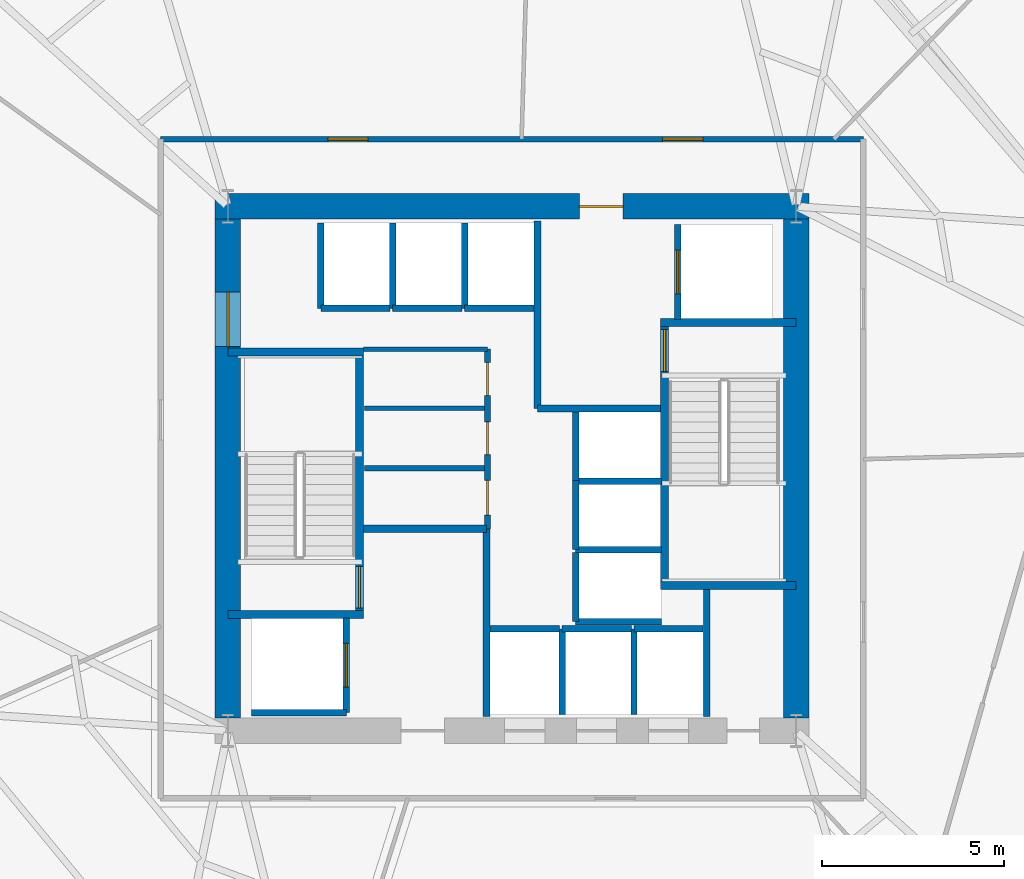
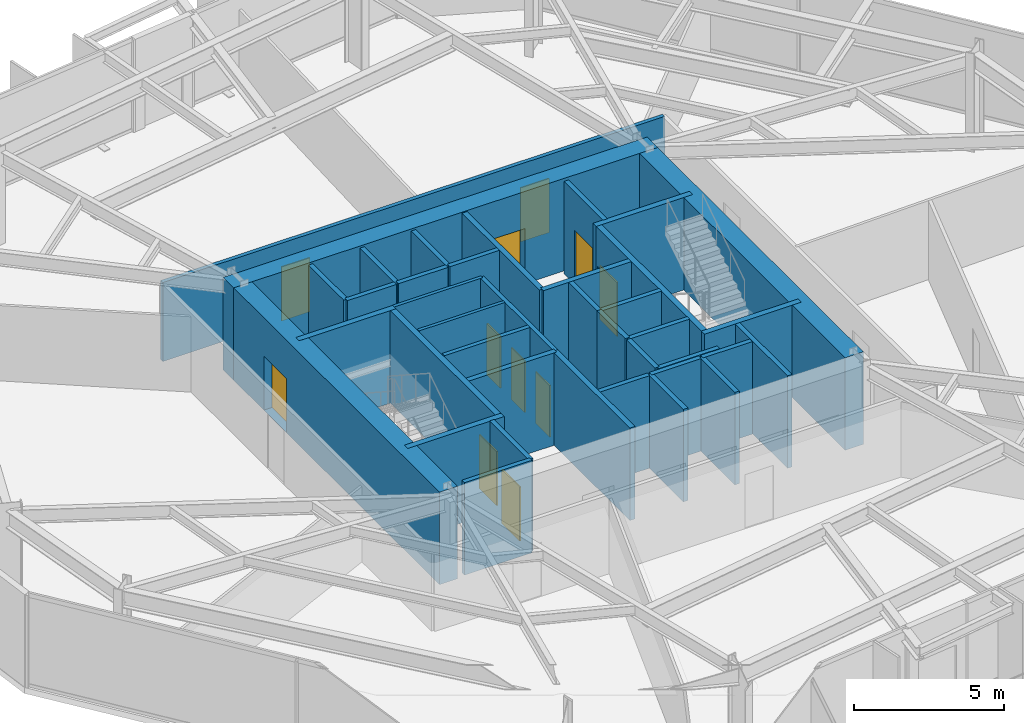
# One storey, part 7 of 11: 39 walls, 11 doors, 11 openings.
"""IFC4 building model written with IfcOpenShell, lengths in metres."""

import ifcopenshell
import ifcopenshell.guid

model = None  # the IFC model being written
_history = None  # IfcOwnerHistory: only IFC2X3 demands one
_inside = {}  # id of a spatial element -> (the spatial element, [elements in it])
_under = {}  # id of a project, library or spatial element -> (it, [spatial elements below it])
_declared = {}  # id of a project -> (the project, [libraries it declares])
_typed = {}  # id of a type object -> (the type object, [elements of that type])
_made_of = {}  # id of a material, layer set ... -> (it, [elements and type objects made of it])


def new_model(schema):
    """Start an empty IFC model of exactly this schema.

    Asked for "IFC4X3", IfcOpenShell would pick the latest addendum, in which some entities
    have other attributes; the version numbers below select the first issue.
    IFC2X3 requires an IfcOwnerHistory on every rooted entity: one is made here for all.
    """
    global model, _history
    if schema == "IFC4X3":
        model = ifcopenshell.file(schema_version=(4, 3, 0, 0))
    else:
        model = ifcopenshell.file(schema=schema)
    _inside.clear()
    _under.clear()
    _declared.clear()
    _typed.clear()
    _made_of.clear()
    _history = None
    if model.schema == "IFC2X3":
        org = make("IfcOrganization", Name="unknown")
        user = make(
            "IfcPersonAndOrganization",
            ThePerson=make("IfcPerson", FamilyName="unknown"),
            TheOrganization=org,
        )
        app = make(
            "IfcApplication",
            ApplicationDeveloper=org,
            Version="unknown",
            ApplicationFullName="unknown",
            ApplicationIdentifier="unknown",
        )
        _history = make(
            "IfcOwnerHistory",
            OwningUser=user,
            OwningApplication=app,
            ChangeAction="ADDED",
            CreationDate=0,
        )
    return model


def make(cls, **values):
    """One entity of the class cls with the attributes given. An attribute that is None is left unset."""
    return model.create_entity(
        cls, **{name: value for name, value in values.items() if value is not None}
    )


def rooted(cls, **values):
    """An entity with a GlobalId (a new one), such as an element, a storey or a relation."""
    return make(cls, GlobalId=ifcopenshell.guid.new(), OwnerHistory=_history, **values)


def si_unit(unit_type, name, prefix=None):
    """IfcSIUnit, for example si_unit("LENGTHUNIT", "METRE", prefix="MILLI")."""
    return make("IfcSIUnit", UnitType=unit_type, Prefix=prefix, Name=name)


def assignment(units):
    """IfcUnitAssignment: the units of a project."""
    return None if units is None else make("IfcUnitAssignment", Units=units)


def point(xyz):
    """IfcCartesianPoint."""
    return None if xyz is None else make("IfcCartesianPoint", Coordinates=xyz)


def direction(xyz):
    """IfcDirection."""
    return None if xyz is None else make("IfcDirection", DirectionRatios=xyz)


def frame(location, z_axis=None, x_axis=None):
    """IfcAxis2Placement3D, a coordinate frame: its origin and axes. An axis left out is left unset."""
    return make(
        "IfcAxis2Placement3D",
        Location=point(location),
        Axis=direction(z_axis),
        RefDirection=direction(x_axis),
    )


def frame_2d(location, x_axis=None):
    """IfcAxis2Placement2D, a coordinate frame in the plane: its origin and x axis."""
    return make(
        "IfcAxis2Placement2D", Location=point(location), RefDirection=direction(x_axis)
    )


def origin():
    """The frame at (0, 0, 0) with its axes left unset."""
    return frame((0.0, 0.0, 0.0))


def place(relative_to, where):
    """IfcLocalPlacement: puts the frame where relative to a parent placement (None: the world)."""
    return make(
        "IfcLocalPlacement", PlacementRelTo=relative_to, RelativePlacement=where
    )


def context(
    kind, dimensions, precision=None, world=None, true_north=None, identifier=None
):
    """IfcGeometricRepresentationContext, for example the 3D "Model" context."""
    return make(
        "IfcGeometricRepresentationContext",
        ContextIdentifier=identifier,
        ContextType=kind,
        CoordinateSpaceDimension=dimensions,
        Precision=precision,
        WorldCoordinateSystem=world,
        TrueNorth=true_north,
    )


def subcontext(parent, identifier, kind, view, scale=None):
    """IfcGeometricRepresentationSubContext, for example "Body" below "Model"."""
    return make(
        "IfcGeometricRepresentationSubContext",
        ContextIdentifier=identifier,
        ContextType=kind,
        ParentContext=parent,
        TargetScale=scale,
        TargetView=view,
    )


def project(units=None, contexts=None):
    """IfcProject with its units and contexts."""
    return rooted(
        "IfcProject",
        Name="project",
        RepresentationContexts=contexts,
        UnitsInContext=assignment(units),
    )


def spatial(cls, under=None, at=None, **own):
    """A site, building, storey or space (cls), placed at a placement, below another one or the project."""
    s = rooted(cls, ObjectPlacement=at, **own)
    if under is not None:
        _under.setdefault(under.id(), (under, []))[1].append(s)
    return s


def profile(cls, at=None, kind="AREA", **sizes):
    """A parametric profile (cls). Its sizes go by their IFC names, for example OverallWidth=200.0."""
    return make(cls, ProfileType=kind, Position=at, **sizes)


def rectangle(**sizes):
    """IfcRectangleProfileDef."""
    return profile("IfcRectangleProfileDef", **sizes)


def extrude(swept, where, along, depth):
    """IfcExtrudedAreaSolid: the profile swept, set in the frame where, extruded along a direction by depth."""
    return make(
        "IfcExtrudedAreaSolid",
        SweptArea=swept,
        Position=where,
        ExtrudedDirection=direction(along),
        Depth=depth,
    )


def shape(context_of_items, identifier, shape_type, items):
    """IfcShapeRepresentation: the items that make up one representation, for example the "Body"."""
    return make(
        "IfcShapeRepresentation",
        ContextOfItems=context_of_items,
        RepresentationIdentifier=identifier,
        RepresentationType=shape_type,
        Items=items,
    )


def material(Name=None, Category=None):
    """IfcMaterial."""
    return make("IfcMaterial", Name=Name, Category=Category)


def layer(
    of_material, thickness, ventilated=None, Name=None, Category=None, Priority=None
):
    """IfcMaterialLayer: one layer of a wall or slab, of a material (None: an air gap)."""
    return make(
        "IfcMaterialLayer",
        Material=of_material,
        LayerThickness=thickness,
        IsVentilated=ventilated,
        Name=Name,
        Category=Category,
        Priority=Priority,
    )


def layer_set(layers, Name=None):
    """IfcMaterialLayerSet."""
    return make("IfcMaterialLayerSet", MaterialLayers=layers, LayerSetName=Name)


def made_of(thing, what):
    """Note that an element or type object is made of a material, layer set ...; save() writes the relation."""
    if what is not None:
        _made_of.setdefault(what.id(), (what, []))[1].append(thing)
    return thing


def type_object(cls, material=None, **own):
    """A type object (cls), such as IfcWallType, which elements share."""
    return made_of(rooted(cls, **own), material)


def element(
    cls,
    number,
    at=None,
    inside=None,
    cuts=None,
    type_object=None,
    material=None,
    context=None,
    identifier="Body",
    shape_type=None,
    held_by="IfcProductDefinitionShape",
    body=None,
    shapes=None,
    **own,
):
    """One element of the class cls, such as IfcWall. Its Tag is "e" and its number.

    at: its placement. inside: the storey or other place that contains it. cuts: it is an
    opening in that element (IfcRelVoidsElement). A single representation is given by context,
    identifier, shape_type and body (its items); several are given by shapes. held_by: the class
    of the entity that holds the representations. save() writes the other relations.
    """
    e = rooted(cls, Tag="e%d" % number, ObjectPlacement=at, **own)
    if body is not None:
        shapes = [shape(context, identifier, shape_type, body)]
    if shapes is not None:
        e.Representation = make(held_by, Representations=shapes)
    if inside is not None:
        _inside.setdefault(inside.id(), (inside, []))[1].append(e)
    if cuts is not None:
        rooted(
            "IfcRelVoidsElement", RelatingBuildingElement=cuts, RelatedOpeningElement=e
        )
    if type_object is not None:
        _typed.setdefault(type_object.id(), (type_object, []))[1].append(e)
    return made_of(e, material)


def fill(opening, filler):
    """IfcRelFillsElement: the door or window that sits in an opening."""
    return rooted(
        "IfcRelFillsElement",
        RelatingOpeningElement=opening,
        RelatedBuildingElement=filler,
    )


def aggregate(whole, parts):
    """IfcRelAggregates: a whole, such as a stair, and the parts it consists of."""
    return rooted("IfcRelAggregates", RelatingObject=whole, RelatedObjects=parts)


def save(model, path):
    """Write the relations noted so far, then the file.

    IfcRelAggregates (storeys below a building ...), IfcRelContainedInSpatialStructure (elements
    in a storey), IfcRelDefinesByType, IfcRelAssociatesMaterial and IfcRelDeclares: one each for
    every whole, place, type object, material and project.
    """
    for whole, parts in _under.values():
        aggregate(whole, parts)
    for where, things in _inside.values():
        rooted(
            "IfcRelContainedInSpatialStructure",
            RelatedElements=things,
            RelatingStructure=where,
        )
    for kind, things in _typed.values():
        rooted("IfcRelDefinesByType", RelatedObjects=things, RelatingType=kind)
    for what, things in _made_of.values():
        rooted("IfcRelAssociatesMaterial", RelatedObjects=things, RelatingMaterial=what)
    for by, libraries in _declared.values():
        rooted("IfcRelDeclares", RelatingContext=by, RelatedDefinitions=libraries)
    model.write(path)


model = new_model("IFC4")

# Units and contexts
model_context = context("Model", 3, precision=1e-05, world=origin(), true_north=direction((0.0, 1.0)))
body_context = subcontext(model_context, "Body", "Model", "MODEL_VIEW")
ifc_project = project(units=[si_unit("LENGTHUNIT", "METRE"), si_unit("AREAUNIT", "SQUARE_METRE"), si_unit("VOLUMEUNIT", "CUBIC_METRE"), si_unit("PLANEANGLEUNIT", "RADIAN"), si_unit("MASSUNIT", "GRAM", prefix="KILO")], contexts=[model_context])

# Site, building, storey
site_placement = place(None, origin())
site = spatial("IfcSite", under=ifc_project, at=site_placement, CompositionType="ELEMENT")
building_placement = place(site_placement, origin())
building = spatial("IfcBuilding", under=site, at=building_placement, Name="Kranzbogen Civic Tower", CompositionType="ELEMENT")
storey_placement = place(building_placement, frame((0.0, 0.0, 48.0)))
storey = spatial("IfcBuildingStorey", under=building, at=storey_placement, Name="L11", CompositionType="ELEMENT", Elevation=48.0)

# Wall, openings, doors
ifc_material_1 = material(Name="Double-Stud Acoustic Gypsum Partition")
ifc_layer_1 = layer(ifc_material_1, 0.14990234375, Name="Double-Stud Acoustic Gypsum Partition")
ifc_layer_set_1 = layer_set([ifc_layer_1], Name="Double-Stud Acoustic Gypsum Partition")
wall_type_1 = type_object("IfcWallType", Name="Acoustic Corridor and Clinical Partition 150 mm", PredefinedType="PARTITIONING", material=ifc_layer_set_1)
wall_1_placement = place(storey_placement, frame((15.35009765625, 34.050048828125, 0.0), z_axis=(0.0, 0.0, 1.0), x_axis=(1.0, 0.0, 0.0)))
wall_1 = element("IfcWall", 1, at=wall_1_placement, inside=storey, type_object=wall_type_1, Name="L11 corridor partition 01", PredefinedType="PARTITIONING", context=body_context, shape_type="SweptSolid", body=[
    extrude(rectangle(XDim=19.2998046875, YDim=0.14990234375, at=frame_2d((9.64990234375, 0.0))), origin(), (0.0, 0.0, 1.0), 3.2099609375),
])
opening_1_placement = place(wall_1_placement, frame((13.7890625, 0.0, 0.0)))
opening_1 = element("IfcOpeningElement", 2, at=opening_1_placement, cuts=wall_1, Name="Opening D-COR60", PredefinedType="OPENING", context=body_context, shape_type="SweptSolid", body=[
    extrude(rectangle(XDim=1.10009765625, YDim=2.199951171875, at=frame_2d((0.550048828125, 1.10009765625))), frame((0.0, 0.0849609375, 0.0), z_axis=(0.0, -1.0, 0.0), x_axis=(1.0, 0.0, 0.0)), (0.0, 0.0, 1.0), 0.169921875),
])
opening_2_placement = place(wall_1_placement, frame((4.592041015625, 0.0, 0.0)))
opening_2 = element("IfcOpeningElement", 3, at=opening_2_placement, cuts=wall_1, Name="Opening D-COR60", PredefinedType="OPENING", context=body_context, shape_type="SweptSolid", body=[
    extrude(rectangle(XDim=1.10009765625, YDim=2.199951171875, at=frame_2d((0.550048828125, 1.10009765625))), frame((0.0, 0.0849609375, 0.0), z_axis=(0.0, -1.0, 0.0), x_axis=(1.0, 0.0, 0.0)), (0.0, 0.0, 1.0), 0.169921875),
])
ifc_material_2 = material(Name="Oak Timber and Fire Core", Category="wood")
door_type_1 = type_object("IfcDoorType", Name="Corridor Acoustic Fire Door 1100x2200", OperationType="NOTDEFINED", PredefinedType="DOOR", material=ifc_material_2)
door_1_placement = place(opening_1_placement, origin())
door_1 = element("IfcDoor", 4, at=door_1_placement, inside=storey, type_object=door_type_1, Name="L11 Protocol Dining Room door", OperationType="SINGLE_SWING_LEFT", OverallHeight=2.199951171875, OverallWidth=1.10009765625, PredefinedType="DOOR", context=body_context, shape_type="SweptSolid", body=[
    extrude(rectangle(XDim=1.10009765625, YDim=2.199951171875, at=frame_2d((0.550048828125, 1.10009765625))), frame((0.0, 0.02490234375, 0.0), z_axis=(0.0, -1.0, 0.0), x_axis=(1.0, 0.0, 0.0)), (0.0, 0.0, 1.0), 0.050048828125),
])
fill(opening_1, door_1)
door_2_placement = place(opening_2_placement, origin())
door_2 = element("IfcDoor", 5, at=door_2_placement, inside=storey, type_object=door_type_1, Name="L11 Public Delegation Reception door", OperationType="SINGLE_SWING_RIGHT", OverallHeight=2.199951171875, OverallWidth=1.10009765625, PredefinedType="DOOR", context=body_context, shape_type="SweptSolid", body=[
    extrude(rectangle(XDim=1.10009765625, YDim=2.199951171875, at=frame_2d((0.550048828125, 1.10009765625))), frame((0.0, 0.02490234375, 0.0), z_axis=(0.0, -1.0, 0.0), x_axis=(1.0, 0.0, 0.0)), (0.0, 0.0, 1.0), 0.050048828125),
])
fill(opening_2, door_2)

# Walls
ifc_material_3 = material(Name="Insulated Metal-Stud Gypsum Partition")
ifc_layer_2 = layer(ifc_material_3, 0.125, Name="Insulated Metal-Stud Gypsum Partition")
ifc_layer_set_2 = layer_set([ifc_layer_2], Name="Insulated Metal-Stud Gypsum Partition")
wall_type_2 = type_object("IfcWallType", Name="Acoustic Inter-Room Partition 125 mm", PredefinedType="PARTITIONING", material=ifc_layer_set_2)
wall_2_placement = place(storey_placement, frame((20.919921875, 28.280029296875, 0.0), z_axis=(0.0, 0.0, 1.0), x_axis=(1.0, 0.0, 0.0)))
element("IfcWall", 6, at=wall_2_placement, inside=storey, type_object=wall_type_2, Name="L11 core auxiliary North wall", PredefinedType="PARTITIONING", context=body_context, shape_type="SweptSolid", body=[
    extrude(rectangle(XDim=3.405029296875, YDim=0.125, at=frame_2d((1.70263671875, 0.0))), origin(), (0.0, 0.0, 1.0), 3.760009765625),
])
wall_3_placement = place(storey_placement, frame((20.949951171875, 26.659912109375, 0.0), z_axis=(0.0, 0.0, 1.0), x_axis=(1.0, 0.0, 0.0)))
element("IfcWall", 7, at=wall_3_placement, inside=storey, type_object=wall_type_2, Name="L11 core auxiliary partition 2", PredefinedType="PARTITIONING", context=body_context, shape_type="SweptSolid", body=[
    extrude(rectangle(XDim=3.300048828125, YDim=0.125, at=frame_2d((1.64990234375, 0.0))), origin(), (0.0, 0.0, 1.0), 3.760009765625),
])

# Wall, opening, door
ifc_material_4 = material(Name="Concrete C55/67", Category="concrete")
ifc_layer_3 = layer(ifc_material_4, 0.699951171875, Name="Concrete C55/67")
ifc_layer_set_3 = layer_set([ifc_layer_3], Name="Concrete C55/67")
wall_type_3 = type_object("IfcWallType", Name="Central Core Shear Wall 700 mm", PredefinedType="SHEAR", material=ifc_layer_set_3)
wall_4_placement = place(storey_placement, frame((33.14990234375, 32.199951171875, 0.0), z_axis=(0.0, 0.0, 1.0), x_axis=(-1.0, 0.0, 0.0)))
wall_4 = element("IfcWall", 8, at=wall_4_placement, inside=storey, type_object=wall_type_3, Name="L11 central core North shear wall", PredefinedType="SHEAR", context=body_context, shape_type="SweptSolid", body=[
    extrude(rectangle(XDim=16.2998046875, YDim=0.699951171875, at=frame_2d((8.14990234375, 0.0))), origin(), (0.0, 0.0, 1.0), 3.760009765625),
])
opening_3_placement = place(wall_4_placement, frame((5.10009765625, 0.0, 0.0)))
opening_3 = element("IfcOpeningElement", 9, at=opening_3_placement, cuts=wall_4, Name="Opening D-EX120", PredefinedType="OPENING", context=body_context, shape_type="SweptSolid", body=[
    extrude(rectangle(XDim=1.199951171875, YDim=2.25, at=frame_2d((0.60009765625, 1.125))), frame((0.0, 0.35986328125, 0.0), z_axis=(0.0, -1.0, 0.0), x_axis=(1.0, 0.0, 0.0)), (0.0, 0.0, 1.0), 0.719970703125),
])
ifc_material_5 = material(Name="Steel S355", Category="steel")
door_type_2 = type_object("IfcDoorType", Name="Exit Passageway Fire Door 1200x2250", OperationType="NOTDEFINED", PredefinedType="DOOR", material=ifc_material_5)
door_3_placement = place(opening_3_placement, origin())
door_3 = element("IfcDoor", 10, at=door_3_placement, inside=storey, type_object=door_type_2, Name="L11 East firefighting lobby corridor door", OperationType="SINGLE_SWING_LEFT", OverallHeight=2.25, OverallWidth=1.199951171875, PredefinedType="DOOR", context=body_context, shape_type="SweptSolid", body=[
    extrude(rectangle(XDim=1.199951171875, YDim=2.25, at=frame_2d((0.60009765625, 1.125))), frame((0.0, 0.02490234375, 0.0), z_axis=(0.0, -1.0, 0.0), x_axis=(1.0, 0.0, 0.0)), (0.0, 0.0, 1.0), 0.050048828125),
])
fill(opening_3, door_3)

wall_5_placement = place(storey_placement, frame((17.199951171875, 31.85009765625, 0.0), z_axis=(0.0, 0.0, 1.0), x_axis=(0.0, -1.0, 0.0)))
wall_5 = element("IfcWall", 11, at=wall_5_placement, inside=storey, type_object=wall_type_3, Name="L11 central core West shear wall", PredefinedType="SHEAR", context=body_context, shape_type="SweptSolid", body=[
    extrude(rectangle(XDim=13.7001953125, YDim=0.699951171875, at=frame_2d((6.85009765625, 0.0))), origin(), (0.0, 0.0, 1.0), 3.760009765625),
])
opening_4_placement = place(wall_5_placement, frame((2.0, 0.0, 0.0)))
opening_4 = element("IfcOpeningElement", 12, at=opening_4_placement, cuts=wall_5, Name="Opening D-DBL15", PredefinedType="OPENING", context=body_context, shape_type="SweptSolid", body=[
    extrude(rectangle(XDim=1.5, YDim=2.199951171875, at=frame_2d((0.75, 1.10009765625))), frame((0.0, 0.35986328125, 0.0), z_axis=(0.0, -1.0, 0.0), x_axis=(1.0, 0.0, 0.0)), (0.0, 0.0, 1.0), 0.719970703125),
])
ifc_material_6 = material(Name="Anodised Bronze and Glass", Category="glass")
door_type_3 = type_object("IfcDoorType", Name="Civic Lobby Double Door 1500x2200", OperationType="DOUBLE_DOOR_SINGLE_SWING", PredefinedType="DOOR", material=ifc_material_6)
door_4_placement = place(opening_4_placement, origin())
door_4 = element("IfcDoor", 13, at=door_4_placement, inside=storey, type_object=door_type_3, Name="L11 Central Lift Lobby West concourse door", OperationType="DOUBLE_DOOR_SINGLE_SWING", OverallHeight=2.199951171875, OverallWidth=1.5, PredefinedType="DOOR", context=body_context, shape_type="SweptSolid", body=[
    extrude(rectangle(XDim=1.5, YDim=2.199951171875, at=frame_2d((0.75, 1.10009765625))), frame((0.0, 0.02490234375, 0.0), z_axis=(0.0, -1.0, 0.0), x_axis=(1.0, 0.0, 0.0)), (0.0, 0.0, 1.0), 0.050048828125),
])
fill(opening_4, door_4)

# Wall
wall_6_placement = place(storey_placement, frame((32.800048828125, 18.14990234375, 0.0), z_axis=(0.0, 0.0, 1.0), x_axis=(0.0, 1.0, 0.0)))
element("IfcWall", 14, at=wall_6_placement, inside=storey, type_object=wall_type_3, Name="L11 central core East shear wall", PredefinedType="SHEAR", context=body_context, shape_type="SweptSolid", body=[
    extrude(rectangle(XDim=13.7001953125, YDim=0.699951171875, at=frame_2d((6.85009765625, 0.0))), origin(), (0.0, 0.0, 1.0), 3.760009765625),
])

# Wall, opening, door
ifc_material_7 = material(Name="Concrete C45/55", Category="concrete")
ifc_layer_4 = layer(ifc_material_7, 0.219970703125, Name="Concrete C45/55")
ifc_layer_set_4 = layer_set([ifc_layer_4], Name="Concrete C45/55")
wall_type_4 = type_object("IfcWallType", Name="Core Internal Stair Structural Wall 220 mm", PredefinedType="SOLIDWALL", material=ifc_layer_set_4)
wall_7_placement = place(storey_placement, frame((20.81005859375, 20.989990234375, 0.0), z_axis=(0.0, 0.0, 1.0), x_axis=(0.0, 1.0, 0.0)))
wall_7 = element("IfcWall", 15, at=wall_7_placement, inside=storey, type_object=wall_type_4, Name="L11 ST-T1 East structural stair wall", PredefinedType="SOLIDWALL", context=body_context, shape_type="SweptSolid", body=[
    extrude(rectangle(XDim=7.219970703125, YDim=0.219970703125, at=frame_2d((3.60986328125, 0.0))), origin(), (0.0, 0.0, 1.0), 3.760009765625),
])
opening_5_placement = place(wall_7_placement, frame((0.179931640625, 0.0, 0.0)))
opening_5 = element("IfcOpeningElement", 16, at=opening_5_placement, cuts=wall_7, Name="Opening D-ST90", PredefinedType="OPENING", context=body_context, shape_type="SweptSolid", body=[
    extrude(rectangle(XDim=1.14990234375, YDim=2.199951171875, at=frame_2d((0.574951171875, 1.10009765625))), frame((0.0, 0.1201171875, 0.0), z_axis=(0.0, -1.0, 0.0), x_axis=(1.0, 0.0, 0.0)), (0.0, 0.0, 1.0), 0.239990234375),
])
door_type_4 = type_object("IfcDoorType", Name="Pressurized Stair and Lobby Fire Door 1150x2200", OperationType="NOTDEFINED", PredefinedType="DOOR", material=ifc_material_5)
door_5_placement = place(opening_5_placement, origin())
door_5 = element("IfcDoor", 17, at=door_5_placement, inside=storey, type_object=door_type_4, Name="L11 Stair ST-T1 fire door", OperationType="SINGLE_SWING_RIGHT", OverallHeight=2.199951171875, OverallWidth=1.14990234375, PredefinedType="DOOR", context=body_context, shape_type="SweptSolid", body=[
    extrude(rectangle(XDim=1.14990234375, YDim=2.199951171875, at=frame_2d((0.574951171875, 1.10009765625))), frame((0.0, 0.02490234375, 0.0), z_axis=(0.0, -1.0, 0.0), x_axis=(1.0, 0.0, 0.0)), (0.0, 0.0, 1.0), 0.050048828125),
])
fill(opening_5, door_5)

# Walls
for number, where, z_axis, x_axis, name in (
    (18, (17.199951171875, 20.989990234375, 0.0), (0.0, 0.0, 1.0), (1.0, 0.0, 0.0), "L11 ST-T1 South structural stair wall"),
    (19, (17.199951171875, 28.2099609375, 0.0), (0.0, 0.0, 1.0), (1.0, 0.0, 0.0), "L11 ST-T1 North structural stair wall"),
):
    element("IfcWall", number, at=place(storey_placement, frame(where, z_axis=z_axis, x_axis=x_axis)), inside=storey, type_object=wall_type_4, Name=name, PredefinedType="SOLIDWALL", context=body_context, shape_type="SweptSolid", body=[
        extrude(rectangle(XDim=3.719970703125, YDim=0.219970703125, at=frame_2d((1.85986328125, 0.0))), origin(), (0.0, 0.0, 1.0), 3.760009765625),
    ])

# Wall, opening, door
wall_8_placement = place(storey_placement, frame((29.18994140625, 21.7900390625, 0.0), z_axis=(0.0, 0.0, 1.0), x_axis=(0.0, 1.0, 0.0)))
wall_8 = element("IfcWall", 20, at=wall_8_placement, inside=storey, type_object=wall_type_4, Name="L11 ST-T2 West structural stair wall", PredefinedType="SOLIDWALL", context=body_context, shape_type="SweptSolid", body=[
    extrude(rectangle(XDim=7.219970703125, YDim=0.219970703125, at=frame_2d((3.60986328125, 0.0))), origin(), (0.0, 0.0, 1.0), 3.760009765625),
])
opening_6_placement = place(wall_8_placement, frame((5.8798828125, 0.0, 0.0)))
opening_6 = element("IfcOpeningElement", 21, at=opening_6_placement, cuts=wall_8, Name="Opening D-ST90", PredefinedType="OPENING", context=body_context, shape_type="SweptSolid", body=[
    extrude(rectangle(XDim=1.14990234375, YDim=2.199951171875, at=frame_2d((0.574951171875, 1.10009765625))), frame((0.0, 0.1201171875, 0.0), z_axis=(0.0, -1.0, 0.0), x_axis=(1.0, 0.0, 0.0)), (0.0, 0.0, 1.0), 0.239990234375),
])
door_6_placement = place(opening_6_placement, origin())
door_6 = element("IfcDoor", 22, at=door_6_placement, inside=storey, type_object=door_type_4, Name="L11 Stair ST-T2 fire door", OperationType="SINGLE_SWING_LEFT", OverallHeight=2.199951171875, OverallWidth=1.14990234375, PredefinedType="DOOR", context=body_context, shape_type="SweptSolid", body=[
    extrude(rectangle(XDim=1.14990234375, YDim=2.199951171875, at=frame_2d((0.574951171875, 1.10009765625))), frame((0.0, 0.02490234375, 0.0), z_axis=(0.0, -1.0, 0.0), x_axis=(1.0, 0.0, 0.0)), (0.0, 0.0, 1.0), 0.050048828125),
])
fill(opening_6, door_6)

# Walls
for number, where, z_axis, x_axis, name in (
    (23, (29.080078125, 21.7900390625, 0.0), (0.0, 0.0, 1.0), (1.0, 0.0, 0.0), "L11 ST-T2 South structural stair wall"),
    (24, (29.080078125, 29.010009765625, 0.0), (0.0, 0.0, 1.0), (1.0, 0.0, 0.0), "L11 ST-T2 North structural stair wall"),
):
    element("IfcWall", number, at=place(storey_placement, frame(where, z_axis=z_axis, x_axis=x_axis)), inside=storey, type_object=wall_type_4, Name=name, PredefinedType="SOLIDWALL", context=body_context, shape_type="SweptSolid", body=[
        extrude(rectangle(XDim=3.719970703125, YDim=0.219970703125, at=frame_2d((1.85986328125, 0.0))), origin(), (0.0, 0.0, 1.0), 3.760009765625),
    ])
ifc_material_8 = material(Name="Gypsum Fireboard and Concrete Block", Category="concrete")
ifc_layer_5 = layer(ifc_material_8, 0.199951171875, Name="Gypsum Fireboard and Concrete Block")
ifc_layer_set_5 = layer_set([ifc_layer_5], Name="Gypsum Fireboard and Concrete Block")
wall_type_5 = type_object("IfcWallType", Name="Fire-Rated Exit Passageway and Stair Wall 200 mm", PredefinedType="PARTITIONING", material=ifc_layer_set_5)
wall_9_placement = place(storey_placement, frame((24.300048828125, 18.199951171875, 0.0), z_axis=(0.0, 0.0, 1.0), x_axis=(0.0, 1.0, 0.0)))
element("IfcWall", 25, at=wall_9_placement, inside=storey, type_object=wall_type_5, Name="L11 West firefighting lobby East wall", PredefinedType="PARTITIONING", context=body_context, shape_type="SweptSolid", body=[
    extrude(rectangle(XDim=5.150146484375, YDim=0.199951171875, at=frame_2d((2.5751953125, 0.0))), origin(), (0.0, 0.0, 1.0), 3.760009765625),
])
wall_10_placement = place(storey_placement, frame((20.919921875, 23.35009765625, 0.0), z_axis=(0.0, 0.0, 1.0), x_axis=(1.0, 0.0, 0.0)))
element("IfcWall", 26, at=wall_10_placement, inside=storey, type_object=wall_type_5, Name="L11 West firefighting lobby North wall", PredefinedType="PARTITIONING", context=body_context, shape_type="SweptSolid", body=[
    extrude(rectangle(XDim=3.380126953125, YDim=0.199951171875, at=frame_2d((1.68994140625, 0.0))), origin(), (0.0, 0.0, 1.0), 3.760009765625),
])
wall_11_placement = place(storey_placement, frame((25.699951171875, 26.64990234375, 0.0), z_axis=(0.0, 0.0, 1.0), x_axis=(0.0, 1.0, 0.0)))
element("IfcWall", 27, at=wall_11_placement, inside=storey, type_object=wall_type_5, Name="L11 East firefighting lobby West wall", PredefinedType="PARTITIONING", context=body_context, shape_type="SweptSolid", body=[
    extrude(rectangle(XDim=5.150146484375, YDim=0.199951171875, at=frame_2d((2.5751953125, 0.0))), origin(), (0.0, 0.0, 1.0), 3.760009765625),
])
wall_12_placement = place(storey_placement, frame((25.699951171875, 26.64990234375, 0.0), z_axis=(0.0, 0.0, 1.0), x_axis=(1.0, 0.0, 0.0)))
element("IfcWall", 28, at=wall_12_placement, inside=storey, type_object=wall_type_5, Name="L11 East firefighting lobby South wall", PredefinedType="PARTITIONING", context=body_context, shape_type="SweptSolid", body=[
    extrude(rectangle(XDim=3.380126953125, YDim=0.199951171875, at=frame_2d((1.68994140625, 0.0))), origin(), (0.0, 0.0, 1.0), 3.760009765625),
])
ifc_material_9 = material(Name="Gypsum Fireboard Shaftliner")
ifc_layer_6 = layer(ifc_material_9, 0.175048828125, Name="Gypsum Fireboard Shaftliner")
ifc_layer_set_6 = layer_set([ifc_layer_6], Name="Gypsum Fireboard Shaftliner")
wall_type_6 = type_object("IfcWallType", Name="Fire-Rated Lift and Service Shaft Wall 175 mm", PredefinedType="PARTITIONING", material=ifc_layer_set_6)
wall_13_placement = place(storey_placement, frame((30.35009765625, 18.199951171875, 0.0), z_axis=(0.0, 0.0, 1.0), x_axis=(0.0, 1.0, 0.0)))
element("IfcWall", 29, at=wall_13_placement, inside=storey, type_object=wall_type_6, Name="L11 East core riser West wall", PredefinedType="PARTITIONING", context=body_context, shape_type="SweptSolid", body=[
    extrude(rectangle(XDim=3.47998046875, YDim=0.175048828125, at=frame_2d((1.739990234375, 0.0))), origin(), (0.0, 0.0, 1.0), 3.760009765625),
])
wall_14_placement = place(storey_placement, frame((24.39990234375, 20.60009765625, 0.0), z_axis=(0.0, 0.0, 1.0), x_axis=(1.0, 0.0, 0.0)))
element("IfcWall", 30, at=wall_14_placement, inside=storey, type_object=wall_type_6, Name="L11 lift LP-01 rear wall", PredefinedType="PARTITIONING", context=body_context, shape_type="SweptSolid", body=[
    extrude(rectangle(XDim=1.900146484375, YDim=0.175048828125, at=frame_2d((0.9501953125, 0.0))), origin(), (0.0, 0.0, 1.0), 3.760009765625),
])
wall_15_placement = place(storey_placement, frame((26.375, 20.60009765625, 0.0), z_axis=(0.0, 0.0, 1.0), x_axis=(1.0, 0.0, 0.0)))
element("IfcWall", 31, at=wall_15_placement, inside=storey, type_object=wall_type_6, Name="L11 lift LP-02 rear wall", PredefinedType="PARTITIONING", context=body_context, shape_type="SweptSolid", body=[
    extrude(rectangle(XDim=1.89990234375, YDim=0.175048828125, at=frame_2d((0.949951171875, 0.0))), origin(), (0.0, 0.0, 1.0), 3.760009765625),
])
wall_16_placement = place(storey_placement, frame((26.375, 18.25, 0.0), z_axis=(0.0, 0.0, 1.0), x_axis=(0.0, 1.0, 0.0)))
element("IfcWall", 32, at=wall_16_placement, inside=storey, type_object=wall_type_6, Name="L11 lift LP-02 side wall", PredefinedType="PARTITIONING", context=body_context, shape_type="SweptSolid", body=[
    extrude(rectangle(XDim=2.35009765625, YDim=0.175048828125, at=frame_2d((1.175048828125, 0.0))), origin(), (0.0, 0.0, 1.0), 3.760009765625),
])
wall_17_placement = place(storey_placement, frame((28.35009765625, 20.60009765625, 0.0), z_axis=(0.0, 0.0, 1.0), x_axis=(1.0, 0.0, 0.0)))
element("IfcWall", 33, at=wall_17_placement, inside=storey, type_object=wall_type_6, Name="L11 lift LP-03 rear wall", PredefinedType="PARTITIONING", context=body_context, shape_type="SweptSolid", body=[
    extrude(rectangle(XDim=1.89990234375, YDim=0.175048828125, at=frame_2d((0.949951171875, 0.0))), origin(), (0.0, 0.0, 1.0), 3.760009765625),
])
wall_18_placement = place(storey_placement, frame((28.35009765625, 18.25, 0.0), z_axis=(0.0, 0.0, 1.0), x_axis=(0.0, 1.0, 0.0)))
element("IfcWall", 34, at=wall_18_placement, inside=storey, type_object=wall_type_6, Name="L11 lift LP-03 side wall", PredefinedType="PARTITIONING", context=body_context, shape_type="SweptSolid", body=[
    extrude(rectangle(XDim=2.35009765625, YDim=0.175048828125, at=frame_2d((1.175048828125, 0.0))), origin(), (0.0, 0.0, 1.0), 3.760009765625),
])
wall_19_placement = place(storey_placement, frame((19.75, 29.39990234375, 0.0), z_axis=(0.0, 0.0, 1.0), x_axis=(1.0, 0.0, 0.0)))
element("IfcWall", 35, at=wall_19_placement, inside=storey, type_object=wall_type_6, Name="L11 lift MP-01 rear wall", PredefinedType="PARTITIONING", context=body_context, shape_type="SweptSolid", body=[
    extrude(rectangle(XDim=1.89990234375, YDim=0.175048828125, at=frame_2d((0.949951171875, 0.0))), origin(), (0.0, 0.0, 1.0), 3.760009765625),
])
wall_20_placement = place(storey_placement, frame((19.75, 29.39990234375, 0.0), z_axis=(0.0, 0.0, 1.0), x_axis=(0.0, 1.0, 0.0)))
element("IfcWall", 36, at=wall_20_placement, inside=storey, type_object=wall_type_6, Name="L11 lift MP-01 side wall", PredefinedType="PARTITIONING", context=body_context, shape_type="SweptSolid", body=[
    extrude(rectangle(XDim=2.35009765625, YDim=0.175048828125, at=frame_2d((1.175048828125, 0.0))), origin(), (0.0, 0.0, 1.0), 3.760009765625),
])
wall_21_placement = place(storey_placement, frame((21.72509765625, 29.39990234375, 0.0), z_axis=(0.0, 0.0, 1.0), x_axis=(1.0, 0.0, 0.0)))
element("IfcWall", 37, at=wall_21_placement, inside=storey, type_object=wall_type_6, Name="L11 lift MP-02 rear wall", PredefinedType="PARTITIONING", context=body_context, shape_type="SweptSolid", body=[
    extrude(rectangle(XDim=1.89990234375, YDim=0.175048828125, at=frame_2d((0.949951171875, 0.0))), origin(), (0.0, 0.0, 1.0), 3.760009765625),
])
wall_22_placement = place(storey_placement, frame((21.72509765625, 29.39990234375, 0.0), z_axis=(0.0, 0.0, 1.0), x_axis=(0.0, 1.0, 0.0)))
element("IfcWall", 38, at=wall_22_placement, inside=storey, type_object=wall_type_6, Name="L11 lift MP-02 side wall", PredefinedType="PARTITIONING", context=body_context, shape_type="SweptSolid", body=[
    extrude(rectangle(XDim=2.35009765625, YDim=0.175048828125, at=frame_2d((1.175048828125, 0.0))), origin(), (0.0, 0.0, 1.0), 3.760009765625),
])
wall_23_placement = place(storey_placement, frame((23.699951171875, 29.39990234375, 0.0), z_axis=(0.0, 0.0, 1.0), x_axis=(1.0, 0.0, 0.0)))
element("IfcWall", 39, at=wall_23_placement, inside=storey, type_object=wall_type_6, Name="L11 lift MP-03 rear wall", PredefinedType="PARTITIONING", context=body_context, shape_type="SweptSolid", body=[
    extrude(rectangle(XDim=1.900146484375, YDim=0.175048828125, at=frame_2d((0.9501953125, 0.0))), origin(), (0.0, 0.0, 1.0), 3.760009765625),
])
wall_24_placement = place(storey_placement, frame((23.699951171875, 29.39990234375, 0.0), z_axis=(0.0, 0.0, 1.0), x_axis=(0.0, 1.0, 0.0)))
element("IfcWall", 40, at=wall_24_placement, inside=storey, type_object=wall_type_6, Name="L11 lift MP-03 side wall", PredefinedType="PARTITIONING", context=body_context, shape_type="SweptSolid", body=[
    extrude(rectangle(XDim=2.35009765625, YDim=0.175048828125, at=frame_2d((1.175048828125, 0.0))), origin(), (0.0, 0.0, 1.0), 3.760009765625),
])
wall_25_placement = place(storey_placement, frame((26.75, 20.800048828125, 0.0), z_axis=(0.0, 0.0, 1.0), x_axis=(0.0, 1.0, 0.0)))
element("IfcWall", 41, at=wall_25_placement, inside=storey, type_object=wall_type_6, Name="L11 lift HP-01 landing wall", PredefinedType="PARTITIONING", context=body_context, shape_type="SweptSolid", body=[
    extrude(rectangle(XDim=1.89990234375, YDim=0.175048828125, at=frame_2d((0.949951171875, 0.0))), origin(), (0.0, 0.0, 1.0), 3.760009765625),
])
wall_26_placement = place(storey_placement, frame((26.75, 20.800048828125, 0.0), z_axis=(0.0, 0.0, 1.0), x_axis=(1.0, 0.0, 0.0)))
element("IfcWall", 42, at=wall_26_placement, inside=storey, type_object=wall_type_6, Name="L11 lift HP-01 side wall", PredefinedType="PARTITIONING", context=body_context, shape_type="SweptSolid", body=[
    extrude(rectangle(XDim=2.35009765625, YDim=0.175048828125, at=frame_2d((1.175048828125, 0.0))), origin(), (0.0, 0.0, 1.0), 3.760009765625),
])
wall_27_placement = place(storey_placement, frame((26.75, 22.77490234375, 0.0), z_axis=(0.0, 0.0, 1.0), x_axis=(0.0, 1.0, 0.0)))
element("IfcWall", 43, at=wall_27_placement, inside=storey, type_object=wall_type_6, Name="L11 lift HP-02 landing wall", PredefinedType="PARTITIONING", context=body_context, shape_type="SweptSolid", body=[
    extrude(rectangle(XDim=1.900146484375, YDim=0.175048828125, at=frame_2d((0.9501953125, 0.0))), origin(), (0.0, 0.0, 1.0), 3.760009765625),
])
wall_28_placement = place(storey_placement, frame((26.75, 22.77490234375, 0.0), z_axis=(0.0, 0.0, 1.0), x_axis=(1.0, 0.0, 0.0)))
element("IfcWall", 44, at=wall_28_placement, inside=storey, type_object=wall_type_6, Name="L11 lift HP-02 side wall", PredefinedType="PARTITIONING", context=body_context, shape_type="SweptSolid", body=[
    extrude(rectangle(XDim=2.35009765625, YDim=0.175048828125, at=frame_2d((1.175048828125, 0.0))), origin(), (0.0, 0.0, 1.0), 3.760009765625),
])
wall_29_placement = place(storey_placement, frame((26.75, 24.64990234375, 0.0), z_axis=(0.0, 0.0, 1.0), x_axis=(0.0, 1.0, 0.0)))
element("IfcWall", 45, at=wall_29_placement, inside=storey, type_object=wall_type_6, Name="L11 lift HP-03 landing wall", PredefinedType="PARTITIONING", context=body_context, shape_type="SweptSolid", body=[
    extrude(rectangle(XDim=1.900146484375, YDim=0.175048828125, at=frame_2d((0.9501953125, 0.0))), origin(), (0.0, 0.0, 1.0), 3.760009765625),
])
wall_30_placement = place(storey_placement, frame((26.75, 24.64990234375, 0.0), z_axis=(0.0, 0.0, 1.0), x_axis=(1.0, 0.0, 0.0)))
element("IfcWall", 46, at=wall_30_placement, inside=storey, type_object=wall_type_6, Name="L11 lift HP-03 side wall", PredefinedType="PARTITIONING", context=body_context, shape_type="SweptSolid", body=[
    extrude(rectangle(XDim=2.35009765625, YDim=0.175048828125, at=frame_2d((1.175048828125, 0.0))), origin(), (0.0, 0.0, 1.0), 3.760009765625),
])

# Wall, opening, door
wall_31_placement = place(storey_placement, frame((20.449951171875, 18.300048828125, 0.0), z_axis=(0.0, 0.0, 1.0), x_axis=(0.0, 1.0, 0.0)))
wall_31 = element("IfcWall", 47, at=wall_31_placement, inside=storey, type_object=wall_type_6, Name="L11 lift FF-01 landing wall", PredefinedType="PARTITIONING", context=body_context, shape_type="SweptSolid", body=[
    extrude(rectangle(XDim=2.599853515625, YDim=0.175048828125, at=frame_2d((1.2998046875, 0.0))), origin(), (0.0, 0.0, 1.0), 3.760009765625),
])
opening_7_placement = place(wall_31_placement, frame((0.699951171875, 0.0, 0.0)))
opening_7 = element("IfcOpeningElement", 48, at=opening_7_placement, cuts=wall_31, Name="Opening LD-FF-01", PredefinedType="OPENING", context=body_context, shape_type="SweptSolid", body=[
    extrude(rectangle(XDim=1.199951171875, YDim=2.199951171875, at=frame_2d((0.60009765625, 1.10009765625))), frame((0.0, 0.09765625, 0.0), z_axis=(0.0, -1.0, 0.0), x_axis=(1.0, 0.0, 0.0)), (0.0, 0.0, 1.0), 0.195068359375),
])
ifc_material_10 = material(Name="Pale Anodised Aluminium", Category="aluminium")
door_type_5 = type_object("IfcDoorType", Name="Firefighting and Stretcher Lift Sliding Landing Door 1200x2200", OperationType="DOUBLE_DOOR_SLIDING", PredefinedType="DOOR", material=ifc_material_10)
door_7_placement = place(opening_7_placement, origin())
door_7 = element("IfcDoor", 49, at=door_7_placement, inside=storey, type_object=door_type_5, Name="L11 lift FF-01 sliding landing door", OperationType="DOUBLE_DOOR_SLIDING", OverallHeight=2.199951171875, OverallWidth=1.199951171875, PredefinedType="DOOR", context=body_context, shape_type="SweptSolid", body=[
    extrude(rectangle(XDim=1.199951171875, YDim=2.199951171875, at=frame_2d((0.60009765625, 1.10009765625))), frame((0.0, 0.02490234375, 0.0), z_axis=(0.0, -1.0, 0.0), x_axis=(1.0, 0.0, 0.0)), (0.0, 0.0, 1.0), 0.050048828125),
])
fill(opening_7, door_7)

# Wall
wall_32_placement = place(storey_placement, frame((17.85009765625, 18.300048828125, 0.0), z_axis=(0.0, 0.0, 1.0), x_axis=(1.0, 0.0, 0.0)))
element("IfcWall", 50, at=wall_32_placement, inside=storey, type_object=wall_type_6, Name="L11 lift FF-01 side wall", PredefinedType="PARTITIONING", context=body_context, shape_type="SweptSolid", body=[
    extrude(rectangle(XDim=2.599853515625, YDim=0.175048828125, at=frame_2d((1.2998046875, 0.0))), origin(), (0.0, 0.0, 1.0), 3.760009765625),
])

# Wall, opening, door
wall_33_placement = place(storey_placement, frame((29.550048828125, 29.10009765625, 0.0), z_axis=(0.0, 0.0, 1.0), x_axis=(0.0, 1.0, 0.0)))
wall_33 = element("IfcWall", 51, at=wall_33_placement, inside=storey, type_object=wall_type_6, Name="L11 lift FF-02 landing wall", PredefinedType="PARTITIONING", context=body_context, shape_type="SweptSolid", body=[
    extrude(rectangle(XDim=2.599853515625, YDim=0.175048828125, at=frame_2d((1.2998046875, 0.0))), origin(), (0.0, 0.0, 1.0), 3.760009765625),
])
opening_8_placement = place(wall_33_placement, frame((0.699951171875, 0.0, 0.0)))
opening_8 = element("IfcOpeningElement", 52, at=opening_8_placement, cuts=wall_33, Name="Opening LD-FF-02", PredefinedType="OPENING", context=body_context, shape_type="SweptSolid", body=[
    extrude(rectangle(XDim=1.199951171875, YDim=2.199951171875, at=frame_2d((0.60009765625, 1.10009765625))), frame((0.0, 0.09765625, 0.0), z_axis=(0.0, -1.0, 0.0), x_axis=(1.0, 0.0, 0.0)), (0.0, 0.0, 1.0), 0.195068359375),
])
door_8_placement = place(opening_8_placement, origin())
door_8 = element("IfcDoor", 53, at=door_8_placement, inside=storey, type_object=door_type_5, Name="L11 lift FF-02 sliding landing door", OperationType="DOUBLE_DOOR_SLIDING", OverallHeight=2.199951171875, OverallWidth=1.199951171875, PredefinedType="DOOR", context=body_context, shape_type="SweptSolid", body=[
    extrude(rectangle(XDim=1.199951171875, YDim=2.199951171875, at=frame_2d((0.60009765625, 1.10009765625))), frame((0.0, 0.02490234375, 0.0), z_axis=(0.0, -1.0, 0.0), x_axis=(1.0, 0.0, 0.0)), (0.0, 0.0, 1.0), 0.050048828125),
])
fill(opening_8, door_8)

# Wall, openings, doors
ifc_material_11 = material(Name="Moisture-Resistant Gypsum Assembly")
ifc_layer_7 = layer(ifc_material_11, 0.159912109375, Name="Moisture-Resistant Gypsum Assembly")
ifc_layer_set_7 = layer_set([ifc_layer_7], Name="Moisture-Resistant Gypsum Assembly")
wall_type_7 = type_object("IfcWallType", Name="Sanitary and Plumbing Wet Wall 160 mm", PredefinedType="PLUMBINGWALL", material=ifc_layer_set_7)
wall_34_placement = place(storey_placement, frame((24.324951171875, 23.35009765625, 0.0), z_axis=(0.0, 0.0, 1.0), x_axis=(0.0, 1.0, 0.0)))
wall_34 = element("IfcWall", 54, at=wall_34_placement, inside=storey, type_object=wall_type_7, Name="L11 core auxiliary East wall", PredefinedType="PLUMBINGWALL", context=body_context, shape_type="SweptSolid", body=[
    extrude(rectangle(XDim=4.929931640625, YDim=0.159912109375, at=frame_2d((2.46484375, 0.0))), origin(), (0.0, 0.0, 1.0), 3.760009765625),
])
opening_9_placement = place(wall_34_placement, frame((0.375, 0.0, 0.0)))
opening_9 = element("IfcOpeningElement", 55, at=opening_9_placement, cuts=wall_34, Name="Opening D-AWC95", PredefinedType="OPENING", context=body_context, shape_type="SweptSolid", body=[
    extrude(rectangle(XDim=0.949951171875, YDim=2.10009765625, at=frame_2d((0.47509765625, 1.050048828125))), frame((0.0, 0.08984375, 0.0), z_axis=(0.0, -1.0, 0.0), x_axis=(1.0, 0.0, 0.0)), (0.0, 0.0, 1.0), 0.179931640625),
])
opening_10_placement = place(wall_34_placement, frame((2.034912109375, 0.0, 0.0)))
opening_10 = element("IfcOpeningElement", 56, at=opening_10_placement, cuts=wall_34, Name="Opening D-WC90", PredefinedType="OPENING", context=body_context, shape_type="SweptSolid", body=[
    extrude(rectangle(XDim=0.89990234375, YDim=2.10009765625, at=frame_2d((0.449951171875, 1.050048828125))), frame((0.0, 0.08984375, 0.0), z_axis=(0.0, -1.0, 0.0), x_axis=(1.0, 0.0, 0.0)), (0.0, 0.0, 1.0), 0.179931640625),
])
opening_11_placement = place(wall_34_placement, frame((3.659912109375, 0.0, 0.0)))
opening_11 = element("IfcOpeningElement", 57, at=opening_11_placement, cuts=wall_34, Name="Opening D-WC90", PredefinedType="OPENING", context=body_context, shape_type="SweptSolid", body=[
    extrude(rectangle(XDim=0.89990234375, YDim=2.10009765625, at=frame_2d((0.449951171875, 1.050048828125))), frame((0.0, 0.08984375, 0.0), z_axis=(0.0, -1.0, 0.0), x_axis=(1.0, 0.0, 0.0)), (0.0, 0.0, 1.0), 0.179931640625),
])
ifc_material_12 = material(Name="Moisture-Resistant Laminate")
door_type_6 = type_object("IfcDoorType", Name="Accessible Restroom Door 950x2100", OperationType="NOTDEFINED", PredefinedType="DOOR", material=ifc_material_12)
door_9_placement = place(opening_9_placement, origin())
door_9 = element("IfcDoor", 58, at=door_9_placement, inside=storey, type_object=door_type_6, Name="L11 Accessible Restroom door", OperationType="SINGLE_SWING_RIGHT", OverallHeight=2.10009765625, OverallWidth=0.949951171875, PredefinedType="DOOR", context=body_context, shape_type="SweptSolid", body=[
    extrude(rectangle(XDim=0.949951171875, YDim=2.10009765625, at=frame_2d((0.47509765625, 1.050048828125))), frame((0.0, 0.02490234375, 0.0), z_axis=(0.0, -1.0, 0.0), x_axis=(1.0, 0.0, 0.0)), (0.0, 0.0, 1.0), 0.050048828125),
])
fill(opening_9, door_9)
door_type_7 = type_object("IfcDoorType", Name="Standard Restroom and Store Door 900x2100", OperationType="NOTDEFINED", PredefinedType="DOOR", material=ifc_material_12)
door_10_placement = place(opening_10_placement, origin())
door_10 = element("IfcDoor", 59, at=door_10_placement, inside=storey, type_object=door_type_7, Name="L11 Staff Restroom door", OperationType="SINGLE_SWING_LEFT", OverallHeight=2.10009765625, OverallWidth=0.89990234375, PredefinedType="DOOR", context=body_context, shape_type="SweptSolid", body=[
    extrude(rectangle(XDim=0.89990234375, YDim=2.10009765625, at=frame_2d((0.449951171875, 1.050048828125))), frame((0.0, 0.02490234375, 0.0), z_axis=(0.0, -1.0, 0.0), x_axis=(1.0, 0.0, 0.0)), (0.0, 0.0, 1.0), 0.050048828125),
])
fill(opening_10, door_10)
door_11_placement = place(opening_11_placement, origin())
door_11 = element("IfcDoor", 60, at=door_11_placement, inside=storey, type_object=door_type_7, Name="L11 Cleaner and Janitor Store door", OperationType="SINGLE_SWING_RIGHT", OverallHeight=2.10009765625, OverallWidth=0.89990234375, PredefinedType="DOOR", context=body_context, shape_type="SweptSolid", body=[
    extrude(rectangle(XDim=0.89990234375, YDim=2.10009765625, at=frame_2d((0.449951171875, 1.050048828125))), frame((0.0, 0.02490234375, 0.0), z_axis=(0.0, -1.0, 0.0), x_axis=(1.0, 0.0, 0.0)), (0.0, 0.0, 1.0), 0.050048828125),
])
fill(opening_11, door_11)

# Wall
wall_35_placement = place(storey_placement, frame((20.949951171875, 25.010009765625, 0.0), z_axis=(0.0, 0.0, 1.0), x_axis=(1.0, 0.0, 0.0)))
element("IfcWall", 61, at=wall_35_placement, inside=storey, type_object=wall_type_7, Name="L11 core auxiliary partition 1", PredefinedType="PLUMBINGWALL", context=body_context, shape_type="SweptSolid", body=[
    extrude(rectangle(XDim=3.300048828125, YDim=0.159912109375, at=frame_2d((1.64990234375, 0.0))), origin(), (0.0, 0.0, 1.0), 3.760009765625),
])

save(model, "model.ifc")
